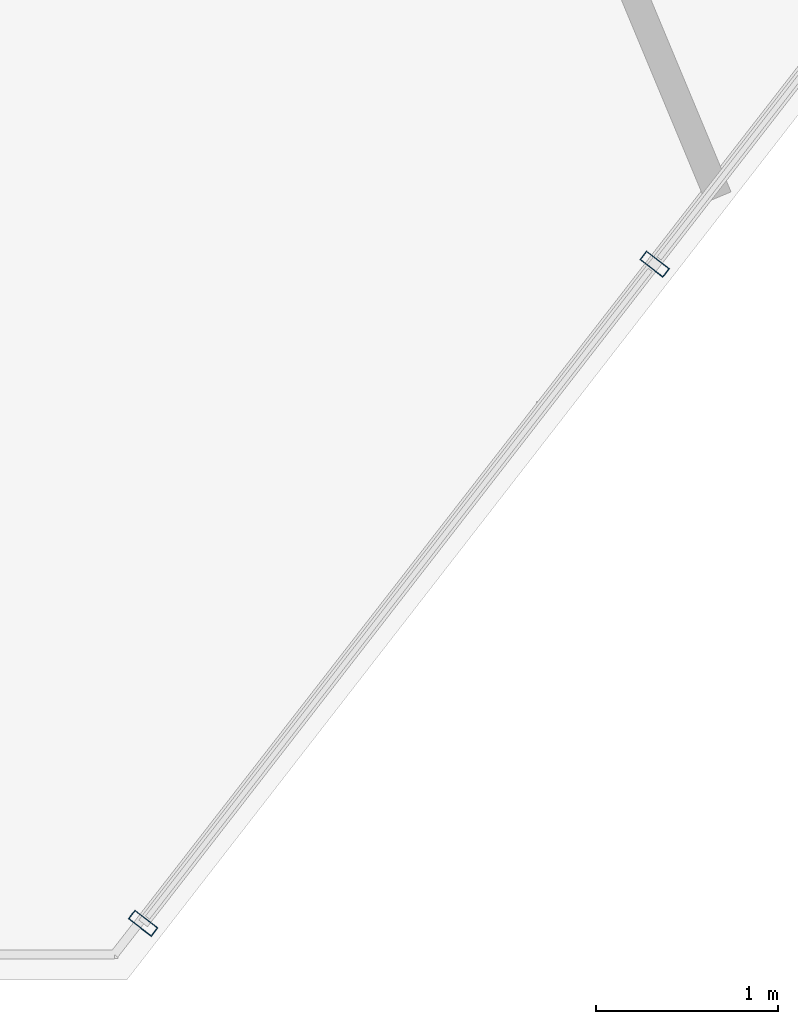
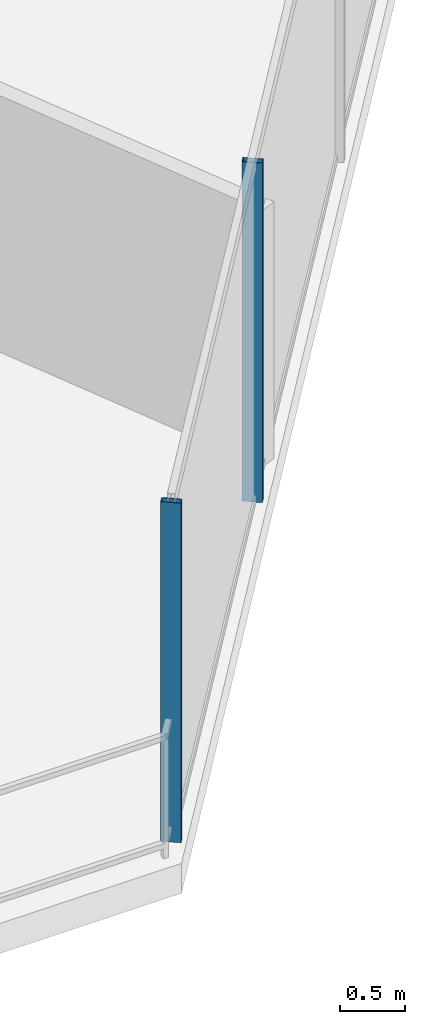
# One storey, part 5 of 30: 2 members, 1 element without a shape of its own.
"""IFC4 building model written with IfcOpenShell, lengths in metres."""

from ifc_helpers import new_model, si_unit, direction, frame, origin, origin_2d, place, context, subcontext, project, spatial, hollow_rectangle, extrude, material, layer, layer_set, material_profile, profile_set, type_object, element, aggregate, save


model = new_model("IFC4")

# Units and contexts
model_context = context("Model", 3, precision=1e-05, world=origin(), true_north=direction((0.0, 1.0)))
body_context = subcontext(model_context, "Body", "Model", "MODEL_VIEW")
ifc_project = project(units=[si_unit("LENGTHUNIT", "METRE"), si_unit("AREAUNIT", "SQUARE_METRE"), si_unit("VOLUMEUNIT", "CUBIC_METRE"), si_unit("PLANEANGLEUNIT", "RADIAN"), si_unit("MASSUNIT", "GRAM", prefix="KILO")], contexts=[model_context])

# Site, building, storey
site_placement = place(None, origin())
site = spatial("IfcSite", under=ifc_project, at=site_placement, CompositionType="ELEMENT")
building_placement = place(site_placement, origin())
building = spatial("IfcBuilding", under=site, at=building_placement, Name="Qarnah Convention Tower", CompositionType="ELEMENT")
storey_placement = place(building_placement, frame((0.0, 0.0, 40.800048828125)))
storey = spatial("IfcBuildingStorey", under=building, at=storey_placement, Name="L09", CompositionType="ELEMENT", Elevation=40.800048828125)

# Curtain wall, members
ifc_material_1 = material(Name="Tempered Low-E dark glass", Category="glass")
ifc_layer = layer(ifc_material_1, 0.16796875)
ifc_layer_set = layer_set([ifc_layer], Name="Tempered Low-E dark glass")
curtain_wall_type = type_object("IfcCurtainWallType", Name="CWS-01", PredefinedType="NOTDEFINED", material=ifc_layer_set)
curtain_wall_placement = place(storey_placement, origin())
curtain_wall = element("IfcCurtainWall", 1, at=curtain_wall_placement, inside=storey, type_object=curtain_wall_type, Name="L09 unitised curtain wall CW-L09-F4", PredefinedType="NOTDEFINED")
ifc_material_2 = material(Name="Black anodised aluminium", Category="aluminium")
ifc_material_profile = material_profile(ifc_material_2, hollow_rectangle(XDim=0.06005859375, YDim=0.159912109375, WallThickness=0.00390625, at=origin_2d()), Name="MUL-60X160")
ifc_profile_set = profile_set([ifc_material_profile], Name="Black anodised aluminium")
member_type = type_object("IfcMemberType", Name="MUL-T1", PredefinedType="MULLION", material=ifc_profile_set)
member_1_placement = place(storey_placement, frame((45.6904296875, 4.52734375, 0.0), z_axis=(0.0, 0.0, 1.0), x_axis=(-0.613073122796, -0.790026167987, 0.0)))
member_1 = element("IfcMember", 2, at=member_1_placement, type_object=member_type, Name="CW-L09-F4 mullion 3", PredefinedType="MULLION", context=body_context, shape_type="SweptSolid", body=[
    extrude(hollow_rectangle(XDim=0.06005859375, YDim=0.159912109375, WallThickness=0.00390625, at=origin_2d()), origin(), (0.0, 0.0, 1.0), 3.169921875),
])
member_2_placement = place(storey_placement, frame((42.884033203125, 0.910888671875, 0.0), z_axis=(0.0, 0.0, 1.0), x_axis=(-0.613073122796, -0.790026167987, 0.0)))
member_2 = element("IfcMember", 3, at=member_2_placement, type_object=member_type, Name="CW-L09-F4 mullion 4", PredefinedType="MULLION", context=body_context, shape_type="SweptSolid", body=[
    extrude(hollow_rectangle(XDim=0.06005859375, YDim=0.159912109375, WallThickness=0.00390625, at=origin_2d()), origin(), (0.0, 0.0, 1.0), 3.169921875),
])
aggregate(curtain_wall, [member_1, member_2])

save(model, "model.ifc")
